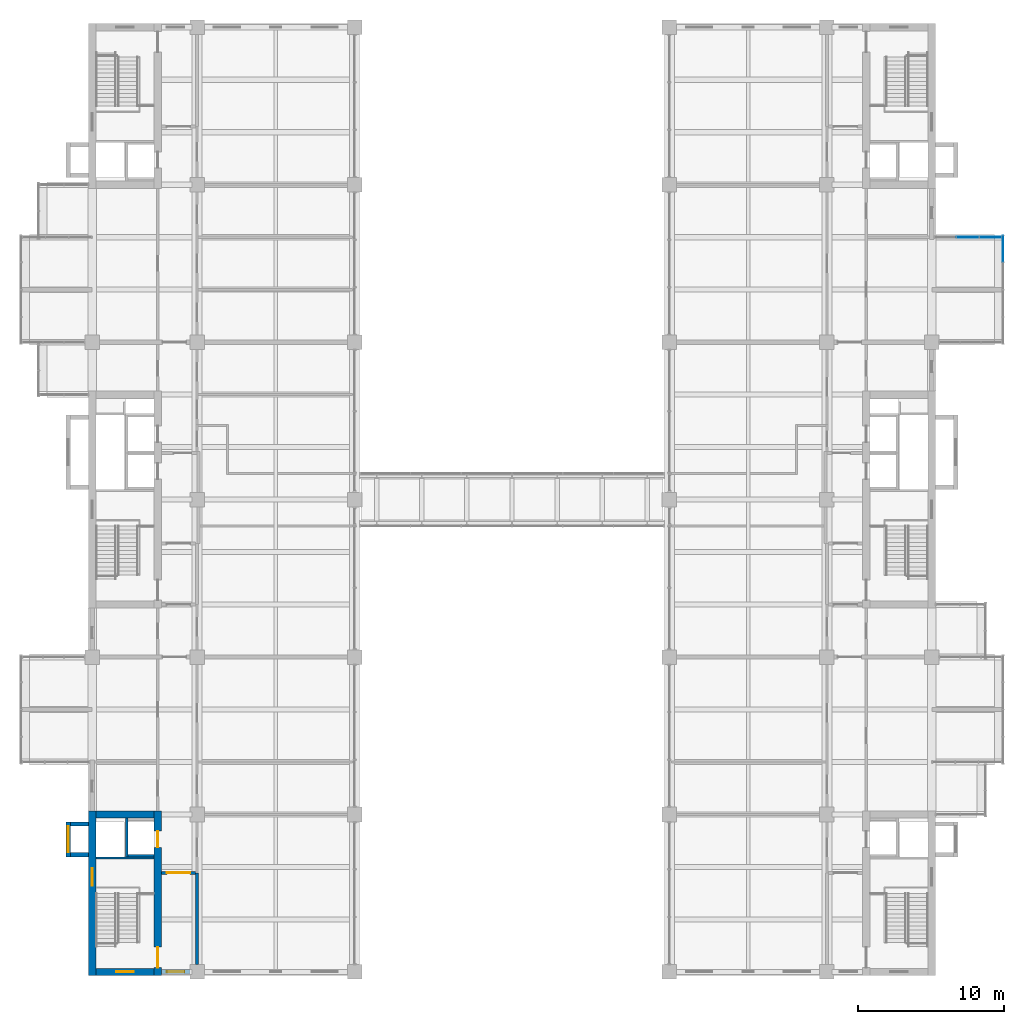
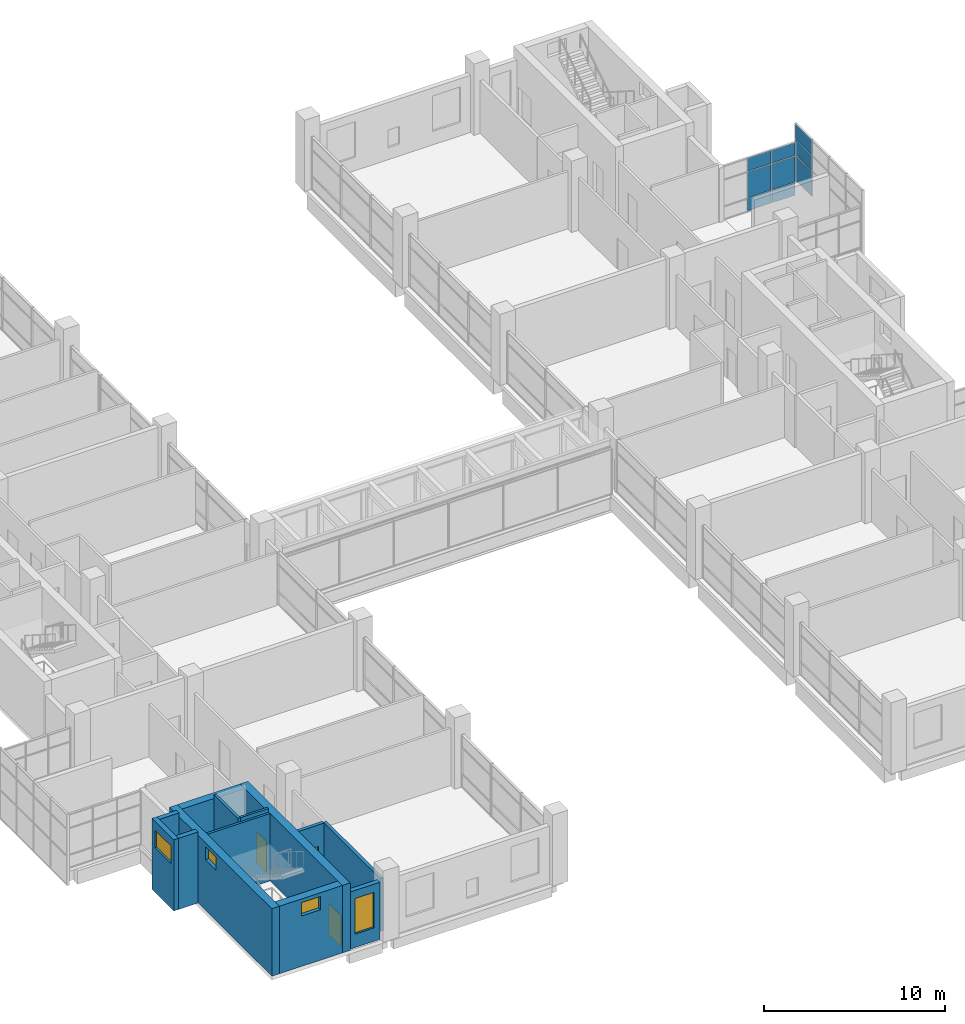
# One storey, part 25 of 35: 13 walls, 9 plates, 4 windows, 3 doors, 7 openings, 2 elements without a shape of their own.
"""IFC4 building model written with IfcOpenShell, lengths in metres."""

from ifc_helpers import new_model, si_unit, direction, frame, frame_2d, origin, origin_2d, place, context, subcontext, project, spatial, rectangle, extrude, material, layer, layer_set, type_object, element, fill, aggregate, save


model = new_model("IFC4")

# Units and contexts
model_context = context("Model", 3, precision=1e-05, world=origin(), true_north=direction((0.0, 1.0)))
body_context = subcontext(model_context, "Body", "Model", "MODEL_VIEW")
ifc_project = project(units=[si_unit("LENGTHUNIT", "METRE"), si_unit("AREAUNIT", "SQUARE_METRE"), si_unit("VOLUMEUNIT", "CUBIC_METRE"), si_unit("PLANEANGLEUNIT", "RADIAN"), si_unit("MASSUNIT", "GRAM", prefix="KILO")], contexts=[model_context])

# Site, building, storey
site_placement = place(None, origin())
site = spatial("IfcSite", under=ifc_project, at=site_placement, CompositionType="ELEMENT")
building_placement = place(site_placement, origin())
building = spatial("IfcBuilding", under=site, at=building_placement, Name="Basin Gate Institute", CompositionType="ELEMENT")
storey_placement = place(building_placement, frame((0.0, 0.0, 31.800048828125)))
storey = spatial("IfcBuildingStorey", under=building, at=storey_placement, Name="L06", CompositionType="ELEMENT", Elevation=31.800048828125)

# Curtain wall, plates
ifc_material_1 = material(Name="Aluminium-framed glazing", Category="aluminium")
ifc_layer_1 = layer(ifc_material_1, 0.14990234375)
ifc_layer_set_1 = layer_set([ifc_layer_1], Name="Capsule front curtain wall CW1")
curtain_wall_type = type_object("IfcCurtainWallType", Name="Capsule front curtain wall CW1", PredefinedType="NOTDEFINED", material=ifc_layer_set_1)
curtain_wall_1_placement = place(storey_placement, origin())
curtain_wall_1 = element("IfcCurtainWall", 1, at=curtain_wall_1_placement, inside=storey, type_object=curtain_wall_type, material=ifc_layer_set_1, Name="Capsule front curtain wall E wing capsule end L06 line 15", PredefinedType="NOTDEFINED")
ifc_material_2 = material(Name="Aluminium insulated spandrel panel", Category="aluminium")
ifc_layer_2 = layer(ifc_material_2, 0.050048828125)
ifc_layer_set_2 = layer_set([ifc_layer_2], Name="Spandrel panel PN2")
plate_type_1 = type_object("IfcPlateType", Name="Spandrel panel PN2", PredefinedType="CURTAIN_PANEL", material=ifc_layer_set_2)
plate_1_placement = place(storey_placement, frame((122.8125, 85.5, 0.059814453125), z_axis=(0.0, 0.0, 1.0), x_axis=(-1.0, 0.0, 0.0)))
plate_1 = element("IfcPlate", 2, at=plate_1_placement, type_object=plate_type_1, material=ifc_layer_set_2, Name="CW1 spandrel panel 1.1", PredefinedType="CURTAIN_PANEL", context=body_context, shape_type="SweptSolid", body=[
    extrude(rectangle(XDim=1.47509765625, YDim=0.050048828125, at=origin_2d()), origin(), (0.0, 0.0, 1.0), 0.81005859375),
])
plate_2_placement = place(storey_placement, frame((121.27490234375, 85.5, 0.059814453125), z_axis=(0.0, 0.0, 1.0), x_axis=(-1.0, 0.0, 0.0)))
plate_2 = element("IfcPlate", 3, at=plate_2_placement, type_object=plate_type_1, material=ifc_layer_set_2, Name="CW1 spandrel panel 2.1", PredefinedType="CURTAIN_PANEL", context=body_context, shape_type="SweptSolid", body=[
    extrude(rectangle(XDim=1.5, YDim=0.050048828125, at=origin_2d()), origin(), (0.0, 0.0, 1.0), 0.81005859375),
])

# Curtain wall, plate
curtain_wall_2_placement = place(storey_placement, origin())
curtain_wall_2 = element("IfcCurtainWall", 4, at=curtain_wall_2_placement, inside=storey, type_object=curtain_wall_type, material=ifc_layer_set_1, Name="Capsule front curtain wall E wing capsule 2 L06 front 2", PredefinedType="NOTDEFINED")
plate_3_placement = place(storey_placement, frame((123.675048828125, 84.699951171875, 3.780029296875), z_axis=(0.0, 0.0, 1.0), x_axis=(0.0, 1.0, 0.0)))
plate_3 = element("IfcPlate", 5, at=plate_3_placement, type_object=plate_type_1, material=ifc_layer_set_2, Name="CW1 spandrel panel 4.4", PredefinedType="CURTAIN_PANEL", context=body_context, shape_type="SweptSolid", body=[
    extrude(rectangle(XDim=1.800048828125, YDim=0.050048828125, at=origin_2d()), origin(), (0.0, 0.0, 1.0), 0.9599609375),
])

# Plate
ifc_material_3 = material(Name="Double glazed unit")
ifc_layer_3 = layer(ifc_material_3, 0.028076171875)
ifc_layer_set_3 = layer_set([ifc_layer_3], Name="Vision panel PN1")
plate_type_2 = type_object("IfcPlateType", Name="Vision panel PN1", PredefinedType="CURTAIN_PANEL", material=ifc_layer_set_3)
plate_4_placement = place(storey_placement, frame((122.8125, 85.5, 0.93017578125), z_axis=(0.0, 0.0, 1.0), x_axis=(-1.0, 0.0, 0.0)))
plate_4 = element("IfcPlate", 6, at=plate_4_placement, type_object=plate_type_2, material=ifc_layer_set_3, Name="CW1 vision panel 1.2", PredefinedType="CURTAIN_PANEL", context=body_context, shape_type="SweptSolid", body=[
    extrude(rectangle(XDim=1.47509765625, YDim=0.028076171875, at=origin_2d()), origin(), (0.0, 0.0, 1.0), 1.739990234375),
])

plate_5_placement = place(storey_placement, frame((122.8125, 85.5, 2.72998046875), z_axis=(0.0, 0.0, 1.0), x_axis=(-1.0, 0.0, 0.0)))
plate_5 = element("IfcPlate", 7, at=plate_5_placement, type_object=plate_type_2, material=ifc_layer_set_3, Name="CW1 vision panel 1.3", PredefinedType="CURTAIN_PANEL", context=body_context, shape_type="SweptSolid", body=[
    extrude(rectangle(XDim=1.47509765625, YDim=0.028076171875, at=origin_2d()), origin(), (0.0, 0.0, 1.0), 0.860107421875),
])

plate_6_placement = place(storey_placement, frame((121.27490234375, 85.5, 0.93017578125), z_axis=(0.0, 0.0, 1.0), x_axis=(-1.0, 0.0, 0.0)))
plate_6 = element("IfcPlate", 8, at=plate_6_placement, type_object=plate_type_2, material=ifc_layer_set_3, Name="CW1 vision panel 2.2", PredefinedType="CURTAIN_PANEL", context=body_context, shape_type="SweptSolid", body=[
    extrude(rectangle(XDim=1.5, YDim=0.028076171875, at=origin_2d()), origin(), (0.0, 0.0, 1.0), 1.739990234375),
])

plate_7_placement = place(storey_placement, frame((121.27490234375, 85.5, 2.72998046875), z_axis=(0.0, 0.0, 1.0), x_axis=(-1.0, 0.0, 0.0)))
plate_7 = element("IfcPlate", 9, at=plate_7_placement, type_object=plate_type_2, material=ifc_layer_set_3, Name="CW1 vision panel 2.3", PredefinedType="CURTAIN_PANEL", context=body_context, shape_type="SweptSolid", body=[
    extrude(rectangle(XDim=1.5, YDim=0.028076171875, at=origin_2d()), origin(), (0.0, 0.0, 1.0), 0.860107421875),
])

aggregate(curtain_wall_1, [plate_1, plate_4, plate_5, plate_2, plate_6, plate_7])

plate_8_placement = place(storey_placement, frame((123.675048828125, 84.699951171875, 0.93017578125), z_axis=(0.0, 0.0, 1.0), x_axis=(0.0, 1.0, 0.0)))
plate_8 = element("IfcPlate", 10, at=plate_8_placement, type_object=plate_type_2, material=ifc_layer_set_3, Name="CW1 vision panel 4.2", PredefinedType="CURTAIN_PANEL", context=body_context, shape_type="SweptSolid", body=[
    extrude(rectangle(XDim=1.800048828125, YDim=0.028076171875, at=origin_2d()), origin(), (0.0, 0.0, 1.0), 1.739990234375),
])

plate_9_placement = place(storey_placement, frame((123.675048828125, 84.699951171875, 2.72998046875), z_axis=(0.0, 0.0, 1.0), x_axis=(0.0, 1.0, 0.0)))
plate_9 = element("IfcPlate", 11, at=plate_9_placement, type_object=plate_type_2, material=ifc_layer_set_3, Name="CW1 vision panel 4.3", PredefinedType="CURTAIN_PANEL", context=body_context, shape_type="SweptSolid", body=[
    extrude(rectangle(XDim=1.800048828125, YDim=0.028076171875, at=origin_2d()), origin(), (0.0, 0.0, 1.0), 0.989990234375),
])

aggregate(curtain_wall_2, [plate_8, plate_9, plate_3])

# Wall, opening, door
ifc_material_4 = material(Name="Fire-rated masonry", Category="masonry")
ifc_layer_4 = layer(ifc_material_4, 0.199951171875)
ifc_layer_set_4 = layer_set([ifc_layer_4], Name="Enclosure wall PW2 200 EI 60")
wall_type_1 = type_object("IfcWallType", Name="Enclosure wall PW2 200 EI 60", PredefinedType="PARTITIONING", material=ifc_layer_set_4)
wall_1_placement = place(storey_placement, frame((65.949951171875, 41.89990234375, 0.0), z_axis=(0.0, 0.0, 1.0), x_axis=(1.0, 0.0, 0.0)))
wall_1 = element("IfcWall", 12, at=wall_1_placement, inside=storey, type_object=wall_type_1, material=ifc_layer_set_4, Name="Smoke lobby enclosure wall PW2 L06", PredefinedType="PARTITIONING", context=body_context, shape_type="SweptSolid", body=[
    extrude(rectangle(XDim=2.35009765625, YDim=0.199951171875, at=frame_2d((1.175048828125, 0.0))), origin(), (0.0, 0.0, 1.0), 3.550048828125),
])
opening_1_placement = place(wall_1_placement, frame((0.375, 0.0, 0.0)))
opening_1 = element("IfcOpeningElement", 13, at=opening_1_placement, cuts=wall_1, Name="Opening DR319", PredefinedType="OPENING", context=body_context, shape_type="SweptSolid", body=[
    extrude(rectangle(XDim=1.60009765625, YDim=2.10009765625, at=frame_2d((0.800048828125, 1.050048828125))), frame((0.0, 0.10986328125, 0.0), z_axis=(0.0, -1.0, 0.0), x_axis=(1.0, 0.0, 0.0)), (0.0, 0.0, 1.0), 0.219970703125),
])
ifc_material_5 = material(Name="Steel fire door", Category="steel")
door_type_1 = type_object("IfcDoorType", Name="FD60 Smoke lobby door pair D8", OperationType="DOUBLE_DOOR_SINGLE_SWING", PredefinedType="DOOR", material=ifc_material_5)
door_1_placement = place(opening_1_placement, frame((1.60009765625, 0.0, 0.0), z_axis=(0.0, 0.0, 1.0), x_axis=(-1.0, 0.0, 0.0)))
door_1 = element("IfcDoor", 14, at=door_1_placement, inside=storey, type_object=door_type_1, material=ifc_material_5, Name="Smoke lobby door SS1 L06", OperationType="DOUBLE_DOOR_SINGLE_SWING", OverallHeight=2.10009765625, OverallWidth=1.60009765625, PredefinedType="DOOR", context=body_context, shape_type="SweptSolid", body=[
    extrude(rectangle(XDim=1.60009765625, YDim=2.10009765625, at=frame_2d((0.800048828125, 1.050048828125))), frame((0.0, 0.02490234375, 0.0), z_axis=(0.0, -1.0, 0.0), x_axis=(1.0, 0.0, 0.0)), (0.0, 0.0, 1.0), 0.050048828125),
])
fill(opening_1, door_1)

# Wall
wall_2_placement = place(storey_placement, frame((68.39990234375, 35.60009765625, 0.0), z_axis=(0.0, 0.0, 1.0), x_axis=(0.0, 1.0, 0.0)))
element("IfcWall", 15, at=wall_2_placement, inside=storey, type_object=wall_type_1, material=ifc_layer_set_4, Name="Smoke lobby enclosure wall PW2 L06", PredefinedType="PARTITIONING", context=body_context, shape_type="SweptSolid", body=[
    extrude(rectangle(XDim=6.2998046875, YDim=0.199951171875, at=frame_2d((3.14990234375, 0.0))), origin(), (0.0, 0.0, 1.0), 3.550048828125),
])

# Wall, opening, window
ifc_material_6 = material(Name="Aluminium-faced insulated panel wall", Category="aluminium")
ifc_layer_5 = layer(ifc_material_6, 0.300048828125)
ifc_layer_set_5 = layer_set([ifc_layer_5], Name="External wall EW1 EI 120")
wall_type_2 = type_object("IfcWallType", Name="External wall EW1 EI 120", PredefinedType="STANDARD", material=ifc_layer_set_5)
wall_3_placement = place(storey_placement, frame((65.949951171875, 35.10009765625, 0.0), z_axis=(0.0, 0.0, 1.0), x_axis=(1.0, 0.0, 0.0)))
wall_3 = element("IfcWall", 16, at=wall_3_placement, inside=storey, type_object=wall_type_2, material=ifc_layer_set_5, Name="External end wall W wing south L06 1", PredefinedType="STANDARD", context=body_context, shape_type="SweptSolid", body=[
    extrude(rectangle(XDim=1.949951171875, YDim=0.300048828125, at=frame_2d((0.97509765625, 0.0))), origin(), (0.0, 0.0, 1.0), 3.849853515625),
])
opening_2_placement = place(wall_3_placement, frame((0.375, 0.0, 0.89990234375)))
opening_2 = element("IfcOpeningElement", 17, at=opening_2_placement, cuts=wall_3, Name="Opening WN4", PredefinedType="OPENING", context=body_context, shape_type="SweptSolid", body=[
    extrude(rectangle(XDim=1.199951171875, YDim=2.39990234375, at=frame_2d((0.60009765625, 1.199951171875))), frame((0.0, 0.16015625, 0.0), z_axis=(0.0, -1.0, 0.0), x_axis=(1.0, 0.0, 0.0)), (0.0, 0.0, 1.0), 0.320068359375),
])
ifc_material_7 = material(Name="Aluminium-framed double glazing", Category="aluminium")
window_type_1 = type_object("IfcWindowType", Name="Corridor end window WN4", PartitioningType="SINGLE_PANEL", PredefinedType="WINDOW", material=ifc_material_7)
window_1_placement = place(opening_2_placement, origin())
window_1 = element("IfcWindow", 18, at=window_1_placement, inside=storey, type_object=window_type_1, material=ifc_material_7, Name="Corridor end window W wing S L06", OverallHeight=2.39990234375, OverallWidth=1.199951171875, PartitioningType="SINGLE_PANEL", PredefinedType="WINDOW", context=body_context, shape_type="SweptSolid", body=[
    extrude(rectangle(XDim=1.199951171875, YDim=2.39990234375, at=frame_2d((0.60009765625, 1.199951171875))), frame((0.0, 0.030029296875, 0.0), z_axis=(0.0, -1.0, 0.0), x_axis=(1.0, 0.0, 0.0)), (0.0, 0.0, 1.0), 0.06005859375),
])
fill(opening_2, window_1)

# Walls
ifc_material_8 = material(Name="Concrete 40 MPa", Category="concrete")
ifc_layer_6 = layer(ifc_material_8, 0.14990234375)
ifc_layer_set_6 = layer_set([ifc_layer_6], Name="Concrete 40 MPa")
wall_type_3 = type_object("IfcWallType", Name="Wall LS1 lift shaft enclosure R120", PredefinedType="SOLIDWALL", material=ifc_layer_set_6)
wall_4_placement = place(storey_placement, frame((63.574951171875, 43.0, 0.0), z_axis=(0.0, 0.0, 1.0), x_axis=(0.0, 1.0, 0.0)))
element("IfcWall", 19, at=wall_4_placement, inside=storey, type_object=wall_type_3, material=ifc_layer_set_6, Name="Lift shaft enclosure LP1 L06 UL", PredefinedType="SOLIDWALL", context=body_context, shape_type="SweptSolid", body=[
    extrude(rectangle(XDim=2.64990234375, YDim=0.14990234375, at=frame_2d((1.324951171875, 0.0))), origin(), (0.0, 0.0, 1.0), 4.800048828125),
])
wall_5_placement = place(storey_placement, frame((63.64990234375, 43.074951171875, 0.0), z_axis=(0.0, 0.0, 1.0), x_axis=(1.0, 0.0, 0.0)))
element("IfcWall", 20, at=wall_5_placement, inside=storey, type_object=wall_type_3, material=ifc_layer_set_6, Name="Lift shaft enclosure LP1 L06 RL", PredefinedType="SOLIDWALL", context=body_context, shape_type="SweptSolid", body=[
    extrude(rectangle(XDim=1.800048828125, YDim=0.14990234375, at=frame_2d((0.89990234375, 0.0))), origin(), (0.0, 0.0, 1.0), 4.800048828125),
])
ifc_material_9 = material(Name="Concrete 40 MPa", Category="concrete")
ifc_layer_7 = layer(ifc_material_9, 0.14990234375)
ifc_layer_set_7 = layer_set([ifc_layer_7], Name="Concrete 40 MPa")
wall_type_4 = type_object("IfcWallType", Name="Wall SE1 stair enclosure R120", PredefinedType="SOLIDWALL", material=ifc_layer_set_7)
wall_6_placement = place(storey_placement, frame((61.449951171875, 42.925048828125, 0.0), z_axis=(0.0, 0.0, 1.0), x_axis=(1.0, 0.0, 0.0)))
element("IfcWall", 21, at=wall_6_placement, inside=storey, type_object=wall_type_4, material=ifc_layer_set_7, Name="Stair enclosure wall ST-WS L06", PredefinedType="SOLIDWALL", context=body_context, shape_type="SweptSolid", body=[
    extrude(rectangle(XDim=4.0, YDim=0.14990234375, at=frame_2d((2.0, 0.0))), origin(), (0.0, 0.0, 1.0), 4.550048828125),
])

# Wall, opening, window
ifc_material_10 = material(Name="Concrete 50 MPa", Category="concrete")
ifc_layer_8 = layer(ifc_material_10, 0.300048828125)
ifc_layer_set_8 = layer_set([ifc_layer_8], Name="Concrete 50 MPa")
wall_type_5 = type_object("IfcWallType", Name="Wall SK1 R120", PredefinedType="SHEAR", material=ifc_layer_set_8)
wall_7_placement = place(storey_placement, frame((59.550048828125, 43.0, 0.0), z_axis=(0.0, 0.0, 1.0), x_axis=(0.0, 1.0, 0.0)))
wall_7 = element("IfcWall", 22, at=wall_7_placement, inside=storey, type_object=wall_type_5, material=ifc_layer_set_8, Name="Spine riser stack wall SK1 WS F L06", PredefinedType="SHEAR", context=body_context, shape_type="SweptSolid", body=[
    extrude(rectangle(XDim=2.39990234375, YDim=0.300048828125, at=frame_2d((1.199951171875, 0.0))), origin(), (0.0, 0.0, 1.0), 4.800048828125),
])
opening_3_placement = place(wall_7_placement, frame((0.300048828125, 0.0, 3.0)))
opening_3 = element("IfcOpeningElement", 23, at=opening_3_placement, cuts=wall_7, Name="Opening WL2", PredefinedType="OPENING", context=body_context, shape_type="SweptSolid", body=[
    extrude(rectangle(XDim=1.800048828125, YDim=1.199951171875, at=frame_2d((0.89990234375, 0.60009765625))), frame((0.0, 0.16015625, 0.0), z_axis=(0.0, -1.0, 0.0), x_axis=(1.0, 0.0, 0.0)), (0.0, 0.0, 1.0), 0.320068359375),
])
ifc_material_11 = material(Name="Aluminium louvre blades with fire damper", Category="aluminium")
window_type_2 = type_object("IfcWindowType", Name="Riser louvre EI 120 WL2", PartitioningType="SINGLE_PANEL", PredefinedType="WINDOW", material=ifc_material_11)
window_2_placement = place(opening_3_placement, origin())
window_2 = element("IfcWindow", 24, at=window_2_placement, inside=storey, type_object=window_type_2, material=ifc_material_11, Name="Riser louvre EI 120 WS riser 1 L06", OverallHeight=1.199951171875, OverallWidth=1.800048828125, PartitioningType="SINGLE_PANEL", PredefinedType="WINDOW", context=body_context, shape_type="SweptSolid", body=[
    extrude(rectangle(XDim=1.800048828125, YDim=1.199951171875, at=frame_2d((0.89990234375, 0.60009765625))), frame((0.0, 0.030029296875, 0.0), z_axis=(0.0, -1.0, 0.0), x_axis=(1.0, 0.0, 0.0)), (0.0, 0.0, 1.0), 0.06005859375),
])
fill(opening_3, window_2)

# Walls
for number, where, z_axis, x_axis, name in (
    (25, (60.949951171875, 43.14990234375, 0.0), (0.0, 0.0, 1.0), (-1.0, 0.0, 0.0), "Spine riser stack wall SK1 WS A L06"),
    (26, (60.949951171875, 45.25, 0.0), (0.0, 0.0, 1.0), (-1.0, 0.0, 0.0), "Spine riser stack wall SK1 WS B L06"),
):
    element("IfcWall", number, at=place(storey_placement, frame(where, z_axis=z_axis, x_axis=x_axis)), inside=storey, type_object=wall_type_5, material=ifc_layer_set_8, Name=name, PredefinedType="SHEAR", context=body_context, shape_type="SweptSolid", body=[
        extrude(rectangle(XDim=1.25, YDim=0.300048828125, at=frame_2d((0.625, 0.0))), origin(), (0.0, 0.0, 1.0), 4.800048828125),
    ])

# Wall, opening, window
ifc_material_12 = material(Name="Concrete 60 MPa", Category="concrete")
ifc_layer_9 = layer(ifc_material_12, 0.5)
ifc_layer_set_9 = layer_set([ifc_layer_9], Name="Concrete 60 MPa")
wall_type_6 = type_object("IfcWallType", Name="Wall SW1 R120", PredefinedType="SHEAR", material=ifc_layer_set_9)
wall_8_placement = place(storey_placement, frame((61.199951171875, 34.85009765625, 0.0), z_axis=(0.0, 0.0, 1.0), x_axis=(0.0, 1.0, 0.0)))
wall_8 = element("IfcWall", 27, at=wall_8_placement, inside=storey, type_object=wall_type_6, material=ifc_layer_set_9, Name="WALL/L06/WS/L", PredefinedType="SHEAR", context=body_context, shape_type="SweptSolid", body=[
    extrude(rectangle(XDim=11.2998046875, YDim=0.5, at=frame_2d((5.64990234375, 0.0))), origin(), (0.0, 0.0, 1.0), 4.550048828125),
])
opening_4_placement = place(wall_8_placement, frame((6.159912109375, 0.0, 3.39990234375)))
opening_4 = element("IfcOpeningElement", 28, at=opening_4_placement, cuts=wall_8, Name="Opening WT2", PredefinedType="OPENING", context=body_context, shape_type="SweptSolid", body=[
    extrude(rectangle(XDim=1.199951171875, YDim=0.89990234375, at=frame_2d((0.60009765625, 0.449951171875))), frame((0.0, 0.260009765625, 0.0), z_axis=(0.0, -1.0, 0.0), x_axis=(1.0, 0.0, 0.0)), (0.0, 0.0, 1.0), 0.52001953125),
])
ifc_material_13 = material(Name="Fire-resistant glazing in steel-free frame", Category="steel")
window_type_3 = type_object("IfcWindowType", Name="Rated stair window EI 120 WT2", PartitioningType="SINGLE_PANEL", PredefinedType="WINDOW", material=ifc_material_13)
window_3_placement = place(opening_4_placement, origin())
window_3 = element("IfcWindow", 29, at=window_3_placement, inside=storey, type_object=window_type_3, material=ifc_material_13, Name="Rated stair window EI 120 WS landing L06", OverallHeight=0.89990234375, OverallWidth=1.199951171875, PartitioningType="SINGLE_PANEL", PredefinedType="WINDOW", context=body_context, shape_type="SweptSolid", body=[
    extrude(rectangle(XDim=1.199951171875, YDim=0.89990234375, at=frame_2d((0.60009765625, 0.449951171875))), frame((0.0, 0.030029296875, 0.0), z_axis=(0.0, -1.0, 0.0), x_axis=(1.0, 0.0, 0.0)), (0.0, 0.0, 1.0), 0.06005859375),
])
fill(opening_4, window_3)

# Wall, openings, doors
wall_9_placement = place(storey_placement, frame((65.699951171875, 34.85009765625, 0.0), z_axis=(0.0, 0.0, 1.0), x_axis=(0.0, 1.0, 0.0)))
wall_9 = element("IfcWall", 30, at=wall_9_placement, inside=storey, type_object=wall_type_6, material=ifc_layer_set_9, Name="WALL/L06/WS/C", PredefinedType="SHEAR", context=body_context, shape_type="SweptSolid", body=[
    extrude(rectangle(XDim=11.2998046875, YDim=0.5, at=frame_2d((5.64990234375, 0.0))), origin(), (0.0, 0.0, 1.0), 4.550048828125),
])
opening_5_placement = place(wall_9_placement, frame((0.550048828125, 0.0, 0.0)))
opening_5 = element("IfcOpeningElement", 31, at=opening_5_placement, cuts=wall_9, Name="Opening DS037", PredefinedType="OPENING", context=body_context, shape_type="SweptSolid", body=[
    extrude(rectangle(XDim=1.39990234375, YDim=2.10009765625, at=frame_2d((0.699951171875, 1.050048828125))), frame((0.0, 0.260009765625, 0.0), z_axis=(0.0, -1.0, 0.0), x_axis=(1.0, 0.0, 0.0)), (0.0, 0.0, 1.0), 0.52001953125),
])
opening_6_placement = place(wall_9_placement, frame((8.800048828125, 0.0, 0.0)))
opening_6 = element("IfcOpeningElement", 32, at=opening_6_placement, cuts=wall_9, Name="Opening LD009", PredefinedType="OPENING", context=body_context, shape_type="SweptSolid", body=[
    extrude(rectangle(XDim=1.10009765625, YDim=2.10009765625, at=frame_2d((0.550048828125, 1.050048828125))), frame((0.0, 0.260009765625, 0.0), z_axis=(0.0, -1.0, 0.0), x_axis=(1.0, 0.0, 0.0)), (0.0, 0.0, 1.0), 0.52001953125),
])
ifc_material_14 = material(Name="Steel fire door", Category="steel")
door_type_2 = type_object("IfcDoorType", Name="FD30 Stair enclosure door DS", OperationType="DOUBLE_DOOR_SINGLE_SWING", PredefinedType="DOOR", material=ifc_material_14)
door_2_placement = place(opening_5_placement, origin())
door_2 = element("IfcDoor", 33, at=door_2_placement, inside=storey, type_object=door_type_2, material=ifc_material_14, Name="Stair enclosure door ST-WS L06", OperationType="DOUBLE_DOOR_SINGLE_SWING", OverallHeight=2.10009765625, OverallWidth=1.39990234375, PredefinedType="DOOR", context=body_context, shape_type="SweptSolid", body=[
    extrude(rectangle(XDim=1.39990234375, YDim=2.10009765625, at=frame_2d((0.699951171875, 1.050048828125))), frame((0.0, 0.02490234375, 0.0), z_axis=(0.0, -1.0, 0.0), x_axis=(1.0, 0.0, 0.0)), (0.0, 0.0, 1.0), 0.050048828125),
])
fill(opening_5, door_2)
ifc_material_15 = material(Name="Stainless steel", Category="steel")
door_type_3 = type_object("IfcDoorType", Name="FD60 Lift landing door LD", OperationType="SLIDING_TO_LEFT", PredefinedType="DOOR", material=ifc_material_15)
door_3_placement = place(opening_6_placement, origin())
door_3 = element("IfcDoor", 34, at=door_3_placement, inside=storey, type_object=door_type_3, material=ifc_material_15, Name="Lift landing door LP1 L06", OperationType="SLIDING_TO_LEFT", OverallHeight=2.10009765625, OverallWidth=1.10009765625, PredefinedType="DOOR", context=body_context, shape_type="SweptSolid", body=[
    extrude(rectangle(XDim=1.10009765625, YDim=2.10009765625, at=frame_2d((0.550048828125, 1.050048828125))), frame((0.0, 0.02490234375, 0.0), z_axis=(0.0, -1.0, 0.0), x_axis=(1.0, 0.0, 0.0)), (0.0, 0.0, 1.0), 0.050048828125),
])
fill(opening_6, door_3)

# Wall, opening, window
wall_10_placement = place(storey_placement, frame((61.449951171875, 35.10009765625, 0.0), z_axis=(0.0, 0.0, 1.0), x_axis=(1.0, 0.0, 0.0)))
wall_10 = element("IfcWall", 35, at=wall_10_placement, inside=storey, type_object=wall_type_6, material=ifc_layer_set_9, Name="WALL/L06/WS/S", PredefinedType="SHEAR", context=body_context, shape_type="SweptSolid", body=[
    extrude(rectangle(XDim=4.0, YDim=0.5, at=frame_2d((2.0, 0.0))), origin(), (0.0, 0.0, 1.0), 4.550048828125),
])
opening_7_placement = place(wall_10_placement, frame((1.39990234375, 0.0, 3.39990234375)))
opening_7 = element("IfcOpeningElement", 36, at=opening_7_placement, cuts=wall_10, Name="Opening WT2", PredefinedType="OPENING", context=body_context, shape_type="SweptSolid", body=[
    extrude(rectangle(XDim=1.199951171875, YDim=0.89990234375, at=frame_2d((0.60009765625, 0.449951171875))), frame((0.0, 0.260009765625, 0.0), z_axis=(0.0, -1.0, 0.0), x_axis=(1.0, 0.0, 0.0)), (0.0, 0.0, 1.0), 0.52001953125),
])
window_4_placement = place(opening_7_placement, origin())
window_4 = element("IfcWindow", 37, at=window_4_placement, inside=storey, type_object=window_type_3, material=ifc_material_13, Name="Rated stair window EI 120 WS end L06", OverallHeight=0.89990234375, OverallWidth=1.199951171875, PartitioningType="SINGLE_PANEL", PredefinedType="WINDOW", context=body_context, shape_type="SweptSolid", body=[
    extrude(rectangle(XDim=1.199951171875, YDim=0.89990234375, at=frame_2d((0.60009765625, 0.449951171875))), frame((0.0, 0.030029296875, 0.0), z_axis=(0.0, -1.0, 0.0), x_axis=(1.0, 0.0, 0.0)), (0.0, 0.0, 1.0), 0.06005859375),
])
fill(opening_7, window_4)

# Wall
wall_11_placement = place(storey_placement, frame((61.449951171875, 45.89990234375, 0.0), z_axis=(0.0, 0.0, 1.0), x_axis=(1.0, 0.0, 0.0)))
element("IfcWall", 38, at=wall_11_placement, inside=storey, type_object=wall_type_6, material=ifc_layer_set_9, Name="WALL/L06/WS/N", PredefinedType="SHEAR", context=body_context, shape_type="SweptSolid", body=[
    extrude(rectangle(XDim=4.0, YDim=0.5, at=frame_2d((2.0, 0.0))), origin(), (0.0, 0.0, 1.0), 4.550048828125),
])

save(model, "model.ifc")
